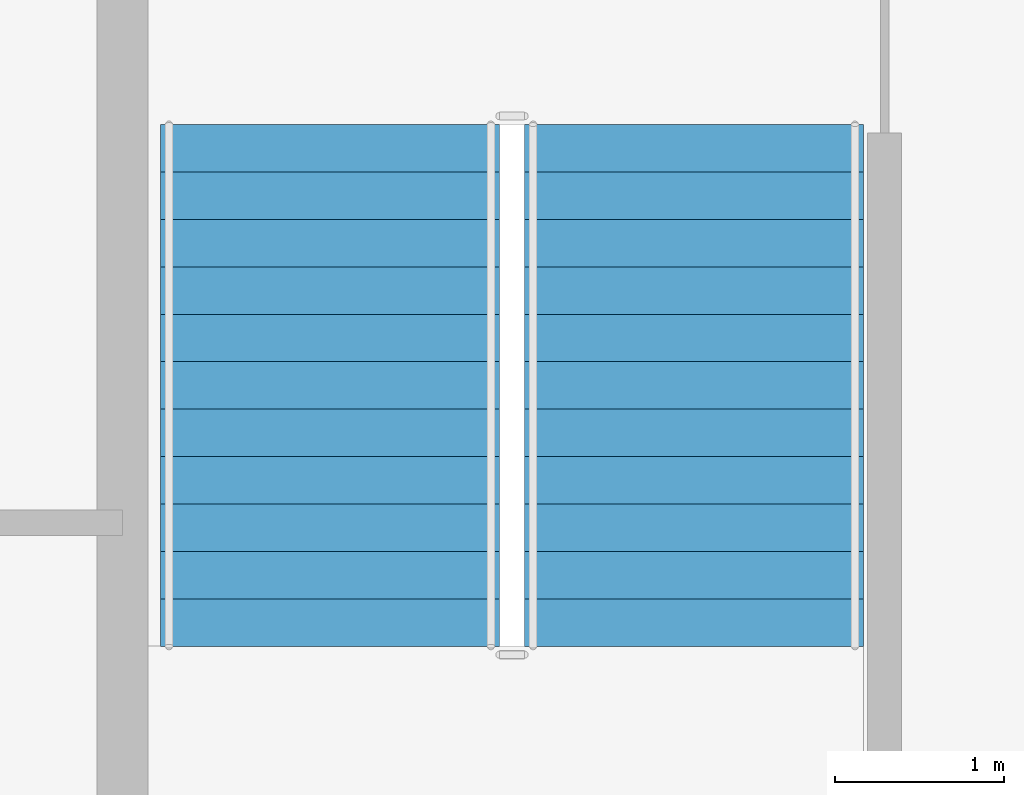
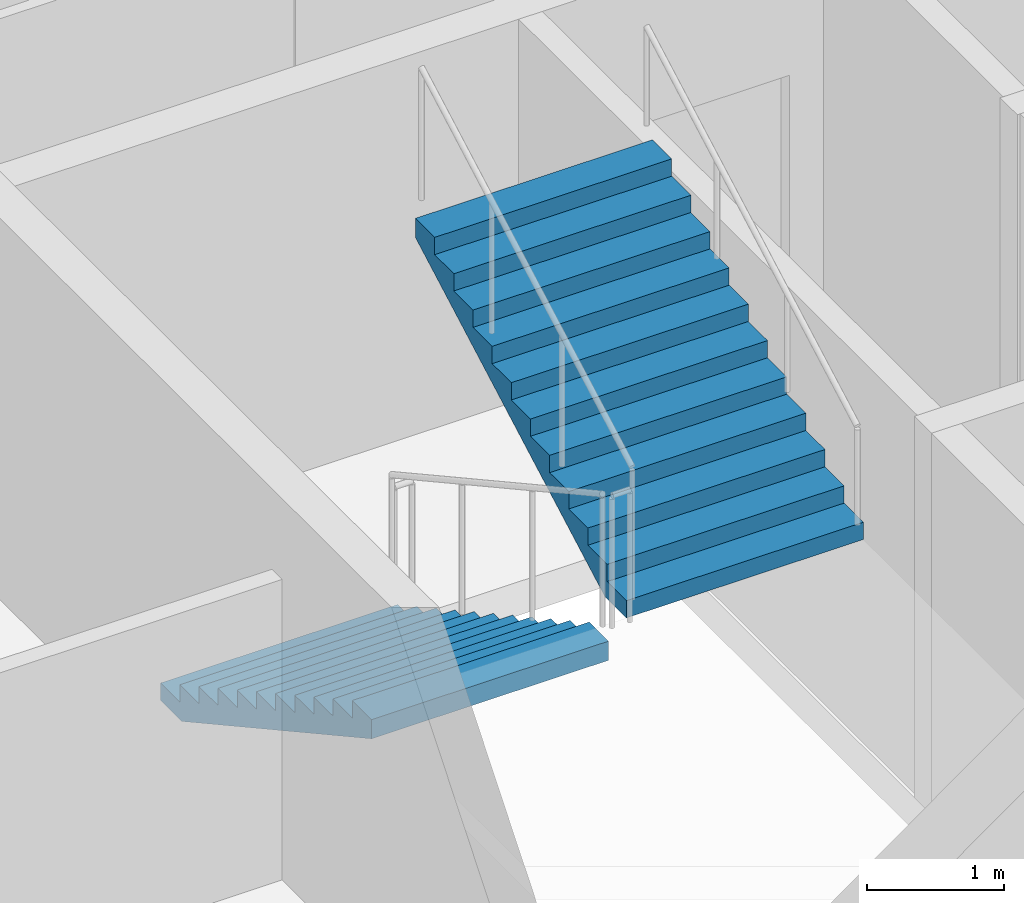
# One storey, part 11 of 15: 2 stair flights, 1 element without a shape of its own.
"""IFC4 building model written with IfcOpenShell, lengths in metres."""

from ifc_helpers import new_model, si_unit, direction, frame, origin, place, context, subcontext, project, spatial, polygons, material, type_object, element, aggregate, save


model = new_model("IFC4")

# Units and contexts
model_context = context("Model", 3, precision=1e-05, world=origin(), true_north=direction((0.0, 1.0)))
body_context = subcontext(model_context, "Body", "Model", "MODEL_VIEW")
ifc_project = project(units=[si_unit("LENGTHUNIT", "METRE"), si_unit("AREAUNIT", "SQUARE_METRE"), si_unit("VOLUMEUNIT", "CUBIC_METRE"), si_unit("PLANEANGLEUNIT", "RADIAN"), si_unit("MASSUNIT", "GRAM", prefix="KILO")], contexts=[model_context])

# Site, building, storey
site_placement = place(None, origin())
site = spatial("IfcSite", under=ifc_project, at=site_placement, CompositionType="ELEMENT")
building_placement = place(site_placement, origin())
building = spatial("IfcBuilding", under=site, at=building_placement, Name="Caravel Reach Hotel and Residences", CompositionType="ELEMENT")
storey_placement = place(building_placement, frame((0.0, 0.0, 172.800048828125)))
storey = spatial("IfcBuildingStorey", under=building, at=storey_placement, Name="L43", CompositionType="ELEMENT", Elevation=172.800048828125)

# Stair, stair flights
ifc_material_1 = material(Name="Concrete C40", Category="concrete")
stair_type = type_object("IfcStairType", Name="Core stair", PredefinedType="HALF_TURN_STAIR", material=ifc_material_1)
stair_placement = place(storey_placement, origin())
stair = element("IfcStair", 1, at=stair_placement, inside=storey, type_object=stair_type, Name="L43 Exit stair A", PredefinedType="HALF_TURN_STAIR")
ifc_material_2 = material(Name="Concrete C40", Category="concrete")
stair_flight_type = type_object("IfcStairFlightType", Name="Core stair flight", PredefinedType="STRAIGHT", material=ifc_material_2)
stair_flight_1_placement = place(storey_placement, frame((19.22509765625, 29.35009765625, 0.0), z_axis=(0.0, 0.0, 1.0), x_axis=(0.0, -1.0, 0.0)))
stair_flight_1 = element("IfcStairFlight", 2, at=stair_flight_1_placement, type_object=stair_flight_type, Name="ST-A flight 1", NumberOfRisers=12, NumberOfTreads=11, PredefinedType="STRAIGHT", RiserHeight=0.154166667, TreadLength=0.28, context=body_context, shape_type="Tessellation", body=[
    polygons([(0.3107950034306102, 1.0, 0.0), (0.3107950034306102, 0.6666666666666667, 0.0), (0.3107950034306102, 0.33333333333333337, 0.0), (0.3107950034306102, 0.0, 0.0), (0.3107950034306102, -0.33333333333333326, 0.0), (0.3107950034306102, -0.6666666666666667, 0.0), (0.3107950034306102, -1.0, 0.0), (3.081, 1.0, 1.524711087717319), (3.081, 0.6666666666666667, 1.524711087717319), (3.081, 0.33333333333333337, 1.524711087717319), (3.081, 0.0, 1.524711087717319), (3.081, -0.33333333333333326, 1.524711087717319), (3.081, -0.6666666666666667, 1.524711087717319), (3.081, -1.0, 1.524711087717319), (3.081, 1.0, 1.695833337), (3.081, 0.6666666666666667, 1.695833337), (3.081, 0.33333333333333337, 1.695833337), (3.081, 0.0, 1.695833337), (3.081, -0.33333333333333326, 1.695833337), (3.081, -0.6666666666666667, 1.695833337), (3.081, -1.0, 1.695833337), (2.8000000000000003, 1.0, 1.695833337), (2.8000000000000003, 0.6666666666666667, 1.695833337), (2.8000000000000003, 0.33333333333333337, 1.695833337), (2.8000000000000003, 0.0, 1.695833337), (2.8000000000000003, -0.33333333333333326, 1.695833337), (2.8000000000000003, -0.6666666666666667, 1.695833337), (2.8000000000000003, -1.0, 1.695833337), (2.8000000000000003, 1.0, 1.5416666700000001), (2.8000000000000003, 0.6666666666666667, 1.5416666700000001), (2.8000000000000003, 0.33333333333333337, 1.5416666700000001), (2.8000000000000003, 0.0, 1.5416666700000001), (2.8000000000000003, -0.33333333333333326, 1.5416666700000001), (2.8000000000000003, -0.6666666666666667, 1.5416666700000001), (2.8000000000000003, -1.0, 1.5416666700000001), (2.5200000000000005, 1.0, 1.5416666700000001), (2.5200000000000005, 0.6666666666666667, 1.5416666700000001), (2.5200000000000005, 0.33333333333333337, 1.5416666700000001), (2.5200000000000005, 0.0, 1.5416666700000001), (2.5200000000000005, -0.33333333333333326, 1.5416666700000001), (2.5200000000000005, -0.6666666666666667, 1.5416666700000001), (2.5200000000000005, -1.0, 1.5416666700000001), (2.5200000000000005, 1.0, 1.387500003), (2.5200000000000005, 0.6666666666666667, 1.387500003), (2.5200000000000005, 0.33333333333333337, 1.387500003), (2.5200000000000005, 0.0, 1.387500003), (2.5200000000000005, -0.33333333333333326, 1.387500003), (2.5200000000000005, -0.6666666666666667, 1.387500003), (2.5200000000000005, -1.0, 1.387500003), (2.24, 1.0, 1.387500003), (2.24, 0.6666666666666667, 1.387500003), (2.24, 0.33333333333333337, 1.387500003), (2.24, 0.0, 1.387500003), (2.24, -0.33333333333333326, 1.387500003), (2.24, -0.6666666666666667, 1.387500003), (2.24, -1.0, 1.387500003), (2.24, 1.0, 1.233333336), (2.24, 0.6666666666666667, 1.233333336), (2.24, 0.33333333333333337, 1.233333336), (2.24, 0.0, 1.233333336), (2.24, -0.33333333333333326, 1.233333336), (2.24, -0.6666666666666667, 1.233333336), (2.24, -1.0, 1.233333336), (1.9600000000000002, 1.0, 1.233333336), (1.9600000000000002, 0.6666666666666667, 1.233333336), (1.9600000000000002, 0.33333333333333337, 1.233333336), (1.9600000000000002, 0.0, 1.233333336), (1.9600000000000002, -0.33333333333333326, 1.233333336), (1.9600000000000002, -0.6666666666666667, 1.233333336), (1.9600000000000002, -1.0, 1.233333336), (1.9600000000000002, 1.0, 1.0791666690000001), (1.9600000000000002, 0.6666666666666667, 1.0791666690000001), (1.9600000000000002, 0.33333333333333337, 1.0791666690000001), (1.9600000000000002, 0.0, 1.0791666690000001), (1.9600000000000002, -0.33333333333333326, 1.0791666690000001), (1.9600000000000002, -0.6666666666666667, 1.0791666690000001), (1.9600000000000002, -1.0, 1.0791666690000001), (1.6800000000000002, 1.0, 1.0791666690000001), (1.6800000000000002, 0.6666666666666667, 1.0791666690000001), (1.6800000000000002, 0.33333333333333337, 1.0791666690000001), (1.6800000000000002, 0.0, 1.0791666690000001), (1.6800000000000002, -0.33333333333333326, 1.0791666690000001), (1.6800000000000002, -0.6666666666666667, 1.0791666690000001), (1.6800000000000002, -1.0, 1.0791666690000001), (1.6800000000000002, 1.0, 0.925000002), (1.6800000000000002, 0.6666666666666667, 0.925000002), (1.6800000000000002, 0.33333333333333337, 0.925000002), (1.6800000000000002, 0.0, 0.925000002), (1.6800000000000002, -0.33333333333333326, 0.925000002), (1.6800000000000002, -0.6666666666666667, 0.925000002), (1.6800000000000002, -1.0, 0.925000002), (1.4000000000000001, 1.0, 0.925000002), (1.4000000000000001, 0.6666666666666667, 0.925000002), (1.4000000000000001, 0.33333333333333337, 0.925000002), (1.4000000000000001, 0.0, 0.925000002), (1.4000000000000001, -0.33333333333333326, 0.925000002), (1.4000000000000001, -0.6666666666666667, 0.925000002), (1.4000000000000001, -1.0, 0.925000002), (1.4000000000000001, 1.0, 0.7708333350000001), (1.4000000000000001, 0.6666666666666667, 0.7708333350000001), (1.4000000000000001, 0.33333333333333337, 0.7708333350000001), (1.4000000000000001, 0.0, 0.7708333350000001), (1.4000000000000001, -0.33333333333333326, 0.7708333350000001), (1.4000000000000001, -0.6666666666666667, 0.7708333350000001), (1.4000000000000001, -1.0, 0.7708333350000001), (1.12, 1.0, 0.7708333350000001), (1.12, 0.6666666666666667, 0.7708333350000001), (1.12, 0.33333333333333337, 0.7708333350000001), (1.12, 0.0, 0.7708333350000001), (1.12, -0.33333333333333326, 0.7708333350000001), (1.12, -0.6666666666666667, 0.7708333350000001), (1.12, -1.0, 0.7708333350000001), (1.12, 1.0, 0.616666668), (1.12, 0.6666666666666667, 0.616666668), (1.12, 0.33333333333333337, 0.616666668), (1.12, 0.0, 0.616666668), (1.12, -0.33333333333333326, 0.616666668), (1.12, -0.6666666666666667, 0.616666668), (1.12, -1.0, 0.616666668), (0.8400000000000001, 1.0, 0.616666668), (0.8400000000000001, 0.6666666666666667, 0.616666668), (0.8400000000000001, 0.33333333333333337, 0.616666668), (0.8400000000000001, 0.0, 0.616666668), (0.8400000000000001, -0.33333333333333326, 0.616666668), (0.8400000000000001, -0.6666666666666667, 0.616666668), (0.8400000000000001, -1.0, 0.616666668), (0.8400000000000001, 1.0, 0.462500001), (0.8400000000000001, 0.6666666666666667, 0.462500001), (0.8400000000000001, 0.33333333333333337, 0.462500001), (0.8400000000000001, 0.0, 0.462500001), (0.8400000000000001, -0.33333333333333326, 0.462500001), (0.8400000000000001, -0.6666666666666667, 0.462500001), (0.8400000000000001, -1.0, 0.462500001), (0.56, 1.0, 0.462500001), (0.56, 0.6666666666666667, 0.462500001), (0.56, 0.33333333333333337, 0.462500001), (0.56, 0.0, 0.462500001), (0.56, -0.33333333333333326, 0.462500001), (0.56, -0.6666666666666667, 0.462500001), (0.56, -1.0, 0.462500001), (0.56, 1.0, 0.308333334), (0.56, 0.6666666666666667, 0.308333334), (0.56, 0.33333333333333337, 0.308333334), (0.56, 0.0, 0.308333334), (0.56, -0.33333333333333326, 0.308333334), (0.56, -0.6666666666666667, 0.308333334), (0.56, -1.0, 0.308333334), (0.28, 1.0, 0.308333334), (0.28, 0.6666666666666667, 0.308333334), (0.28, 0.33333333333333337, 0.308333334), (0.28, 0.0, 0.308333334), (0.28, -0.33333333333333326, 0.308333334), (0.28, -0.6666666666666667, 0.308333334), (0.28, -1.0, 0.308333334), (0.28, 1.0, 0.154166667), (0.28, 0.6666666666666667, 0.154166667), (0.28, 0.33333333333333337, 0.154166667), (0.28, 0.0, 0.154166667), (0.28, -0.33333333333333326, 0.154166667), (0.28, -0.6666666666666667, 0.154166667), (0.28, -1.0, 0.154166667), (-0.001, 1.0, 0.154166667), (-0.001, 0.6666666666666667, 0.154166667), (-0.001, 0.33333333333333337, 0.154166667), (-0.001, 0.0, 0.154166667), (-0.001, -0.33333333333333326, 0.154166667), (-0.001, -0.6666666666666667, 0.154166667), (-0.001, -1.0, 0.154166667), (-0.001, 1.0, 0.0), (-0.001, 0.6666666666666667, 0.0), (-0.001, 0.33333333333333337, 0.0), (-0.001, 0.0, 0.0), (-0.001, -0.33333333333333326, 0.0), (-0.001, -0.6666666666666667, 0.0), (-0.001, -1.0, 0.0)], [[[169, 162, 155, 148, 141, 134, 127, 120, 113, 106, 99, 92, 85, 78, 71, 64, 57, 50, 43, 36, 29, 22, 15, 8, 1]], [[7, 14, 21, 28, 35, 42, 49, 56, 63, 70, 77, 84, 91, 98, 105, 112, 119, 126, 133, 140, 147, 154, 161, 168, 175]], [[1, 8, 9, 2]], [[2, 9, 10, 3]], [[3, 10, 11, 4]], [[4, 11, 12, 5]], [[5, 12, 13, 6]], [[6, 13, 14, 7]], [[8, 15, 16, 9]], [[9, 16, 17, 10]], [[10, 17, 18, 11]], [[11, 18, 19, 12]], [[12, 19, 20, 13]], [[13, 20, 21, 14]], [[15, 22, 23, 16]], [[16, 23, 24, 17]], [[17, 24, 25, 18]], [[18, 25, 26, 19]], [[19, 26, 27, 20]], [[20, 27, 28, 21]], [[22, 29, 30, 23]], [[23, 30, 31, 24]], [[24, 31, 32, 25]], [[25, 32, 33, 26]], [[26, 33, 34, 27]], [[27, 34, 35, 28]], [[29, 36, 37, 30]], [[30, 37, 38, 31]], [[31, 38, 39, 32]], [[32, 39, 40, 33]], [[33, 40, 41, 34]], [[34, 41, 42, 35]], [[36, 43, 44, 37]], [[37, 44, 45, 38]], [[38, 45, 46, 39]], [[39, 46, 47, 40]], [[40, 47, 48, 41]], [[41, 48, 49, 42]], [[43, 50, 51, 44]], [[44, 51, 52, 45]], [[45, 52, 53, 46]], [[46, 53, 54, 47]], [[47, 54, 55, 48]], [[48, 55, 56, 49]], [[50, 57, 58, 51]], [[51, 58, 59, 52]], [[52, 59, 60, 53]], [[53, 60, 61, 54]], [[54, 61, 62, 55]], [[55, 62, 63, 56]], [[57, 64, 65, 58]], [[58, 65, 66, 59]], [[59, 66, 67, 60]], [[60, 67, 68, 61]], [[61, 68, 69, 62]], [[62, 69, 70, 63]], [[64, 71, 72, 65]], [[65, 72, 73, 66]], [[66, 73, 74, 67]], [[67, 74, 75, 68]], [[68, 75, 76, 69]], [[69, 76, 77, 70]], [[71, 78, 79, 72]], [[72, 79, 80, 73]], [[73, 80, 81, 74]], [[74, 81, 82, 75]], [[75, 82, 83, 76]], [[76, 83, 84, 77]], [[78, 85, 86, 79]], [[79, 86, 87, 80]], [[80, 87, 88, 81]], [[81, 88, 89, 82]], [[82, 89, 90, 83]], [[83, 90, 91, 84]], [[85, 92, 93, 86]], [[86, 93, 94, 87]], [[87, 94, 95, 88]], [[88, 95, 96, 89]], [[89, 96, 97, 90]], [[90, 97, 98, 91]], [[92, 99, 100, 93]], [[93, 100, 101, 94]], [[94, 101, 102, 95]], [[95, 102, 103, 96]], [[96, 103, 104, 97]], [[97, 104, 105, 98]], [[99, 106, 107, 100]], [[100, 107, 108, 101]], [[101, 108, 109, 102]], [[102, 109, 110, 103]], [[103, 110, 111, 104]], [[104, 111, 112, 105]], [[106, 113, 114, 107]], [[107, 114, 115, 108]], [[108, 115, 116, 109]], [[109, 116, 117, 110]], [[110, 117, 118, 111]], [[111, 118, 119, 112]], [[113, 120, 121, 114]], [[114, 121, 122, 115]], [[115, 122, 123, 116]], [[116, 123, 124, 117]], [[117, 124, 125, 118]], [[118, 125, 126, 119]], [[120, 127, 128, 121]], [[121, 128, 129, 122]], [[122, 129, 130, 123]], [[123, 130, 131, 124]], [[124, 131, 132, 125]], [[125, 132, 133, 126]], [[127, 134, 135, 128]], [[128, 135, 136, 129]], [[129, 136, 137, 130]], [[130, 137, 138, 131]], [[131, 138, 139, 132]], [[132, 139, 140, 133]], [[134, 141, 142, 135]], [[135, 142, 143, 136]], [[136, 143, 144, 137]], [[137, 144, 145, 138]], [[138, 145, 146, 139]], [[139, 146, 147, 140]], [[141, 148, 149, 142]], [[142, 149, 150, 143]], [[143, 150, 151, 144]], [[144, 151, 152, 145]], [[145, 152, 153, 146]], [[146, 153, 154, 147]], [[148, 155, 156, 149]], [[149, 156, 157, 150]], [[150, 157, 158, 151]], [[151, 158, 159, 152]], [[152, 159, 160, 153]], [[153, 160, 161, 154]], [[155, 162, 163, 156]], [[156, 163, 164, 157]], [[157, 164, 165, 158]], [[158, 165, 166, 159]], [[159, 166, 167, 160]], [[160, 167, 168, 161]], [[162, 169, 170, 163]], [[163, 170, 171, 164]], [[164, 171, 172, 165]], [[165, 172, 173, 166]], [[166, 173, 174, 167]], [[167, 174, 175, 168]], [[169, 1, 2, 170]], [[170, 2, 3, 171]], [[171, 3, 4, 172]], [[172, 4, 5, 173]], [[173, 5, 6, 174]], [[174, 6, 7, 175]]], closed=True),
])
stair_flight_2_placement = place(storey_placement, frame((21.375, 26.27001953125, 1.849853515625), z_axis=(0.0, 0.0, 1.0), x_axis=(0.0, 1.0, 0.0)))
stair_flight_2 = element("IfcStairFlight", 3, at=stair_flight_2_placement, type_object=stair_flight_type, Name="ST-A flight 2", NumberOfRisers=12, NumberOfTreads=11, PredefinedType="STRAIGHT", RiserHeight=0.154166667, TreadLength=0.28, context=body_context, shape_type="Tessellation", body=[
    polygons([(0.3107950034306102, 1.0, 0.0), (0.3107950034306102, 0.6666666666666667, 0.0), (0.3107950034306102, 0.33333333333333337, 0.0), (0.3107950034306102, 0.0, 0.0), (0.3107950034306102, -0.33333333333333326, 0.0), (0.3107950034306102, -0.6666666666666667, 0.0), (0.3107950034306102, -1.0, 0.0), (3.081, 1.0, 1.524711087717319), (3.081, 0.6666666666666667, 1.524711087717319), (3.081, 0.33333333333333337, 1.524711087717319), (3.081, 0.0, 1.524711087717319), (3.081, -0.33333333333333326, 1.524711087717319), (3.081, -0.6666666666666667, 1.524711087717319), (3.081, -1.0, 1.524711087717319), (3.081, 1.0, 1.695833337), (3.081, 0.6666666666666667, 1.695833337), (3.081, 0.33333333333333337, 1.695833337), (3.081, 0.0, 1.695833337), (3.081, -0.33333333333333326, 1.695833337), (3.081, -0.6666666666666667, 1.695833337), (3.081, -1.0, 1.695833337), (2.8000000000000003, 1.0, 1.695833337), (2.8000000000000003, 0.6666666666666667, 1.695833337), (2.8000000000000003, 0.33333333333333337, 1.695833337), (2.8000000000000003, 0.0, 1.695833337), (2.8000000000000003, -0.33333333333333326, 1.695833337), (2.8000000000000003, -0.6666666666666667, 1.695833337), (2.8000000000000003, -1.0, 1.695833337), (2.8000000000000003, 1.0, 1.5416666700000001), (2.8000000000000003, 0.6666666666666667, 1.5416666700000001), (2.8000000000000003, 0.33333333333333337, 1.5416666700000001), (2.8000000000000003, 0.0, 1.5416666700000001), (2.8000000000000003, -0.33333333333333326, 1.5416666700000001), (2.8000000000000003, -0.6666666666666667, 1.5416666700000001), (2.8000000000000003, -1.0, 1.5416666700000001), (2.5200000000000005, 1.0, 1.5416666700000001), (2.5200000000000005, 0.6666666666666667, 1.5416666700000001), (2.5200000000000005, 0.33333333333333337, 1.5416666700000001), (2.5200000000000005, 0.0, 1.5416666700000001), (2.5200000000000005, -0.33333333333333326, 1.5416666700000001), (2.5200000000000005, -0.6666666666666667, 1.5416666700000001), (2.5200000000000005, -1.0, 1.5416666700000001), (2.5200000000000005, 1.0, 1.387500003), (2.5200000000000005, 0.6666666666666667, 1.387500003), (2.5200000000000005, 0.33333333333333337, 1.387500003), (2.5200000000000005, 0.0, 1.387500003), (2.5200000000000005, -0.33333333333333326, 1.387500003), (2.5200000000000005, -0.6666666666666667, 1.387500003), (2.5200000000000005, -1.0, 1.387500003), (2.24, 1.0, 1.387500003), (2.24, 0.6666666666666667, 1.387500003), (2.24, 0.33333333333333337, 1.387500003), (2.24, 0.0, 1.387500003), (2.24, -0.33333333333333326, 1.387500003), (2.24, -0.6666666666666667, 1.387500003), (2.24, -1.0, 1.387500003), (2.24, 1.0, 1.233333336), (2.24, 0.6666666666666667, 1.233333336), (2.24, 0.33333333333333337, 1.233333336), (2.24, 0.0, 1.233333336), (2.24, -0.33333333333333326, 1.233333336), (2.24, -0.6666666666666667, 1.233333336), (2.24, -1.0, 1.233333336), (1.9600000000000002, 1.0, 1.233333336), (1.9600000000000002, 0.6666666666666667, 1.233333336), (1.9600000000000002, 0.33333333333333337, 1.233333336), (1.9600000000000002, 0.0, 1.233333336), (1.9600000000000002, -0.33333333333333326, 1.233333336), (1.9600000000000002, -0.6666666666666667, 1.233333336), (1.9600000000000002, -1.0, 1.233333336), (1.9600000000000002, 1.0, 1.0791666690000001), (1.9600000000000002, 0.6666666666666667, 1.0791666690000001), (1.9600000000000002, 0.33333333333333337, 1.0791666690000001), (1.9600000000000002, 0.0, 1.0791666690000001), (1.9600000000000002, -0.33333333333333326, 1.0791666690000001), (1.9600000000000002, -0.6666666666666667, 1.0791666690000001), (1.9600000000000002, -1.0, 1.0791666690000001), (1.6800000000000002, 1.0, 1.0791666690000001), (1.6800000000000002, 0.6666666666666667, 1.0791666690000001), (1.6800000000000002, 0.33333333333333337, 1.0791666690000001), (1.6800000000000002, 0.0, 1.0791666690000001), (1.6800000000000002, -0.33333333333333326, 1.0791666690000001), (1.6800000000000002, -0.6666666666666667, 1.0791666690000001), (1.6800000000000002, -1.0, 1.0791666690000001), (1.6800000000000002, 1.0, 0.925000002), (1.6800000000000002, 0.6666666666666667, 0.925000002), (1.6800000000000002, 0.33333333333333337, 0.925000002), (1.6800000000000002, 0.0, 0.925000002), (1.6800000000000002, -0.33333333333333326, 0.925000002), (1.6800000000000002, -0.6666666666666667, 0.925000002), (1.6800000000000002, -1.0, 0.925000002), (1.4000000000000001, 1.0, 0.925000002), (1.4000000000000001, 0.6666666666666667, 0.925000002), (1.4000000000000001, 0.33333333333333337, 0.925000002), (1.4000000000000001, 0.0, 0.925000002), (1.4000000000000001, -0.33333333333333326, 0.925000002), (1.4000000000000001, -0.6666666666666667, 0.925000002), (1.4000000000000001, -1.0, 0.925000002), (1.4000000000000001, 1.0, 0.7708333350000001), (1.4000000000000001, 0.6666666666666667, 0.7708333350000001), (1.4000000000000001, 0.33333333333333337, 0.7708333350000001), (1.4000000000000001, 0.0, 0.7708333350000001), (1.4000000000000001, -0.33333333333333326, 0.7708333350000001), (1.4000000000000001, -0.6666666666666667, 0.7708333350000001), (1.4000000000000001, -1.0, 0.7708333350000001), (1.12, 1.0, 0.7708333350000001), (1.12, 0.6666666666666667, 0.7708333350000001), (1.12, 0.33333333333333337, 0.7708333350000001), (1.12, 0.0, 0.7708333350000001), (1.12, -0.33333333333333326, 0.7708333350000001), (1.12, -0.6666666666666667, 0.7708333350000001), (1.12, -1.0, 0.7708333350000001), (1.12, 1.0, 0.616666668), (1.12, 0.6666666666666667, 0.616666668), (1.12, 0.33333333333333337, 0.616666668), (1.12, 0.0, 0.616666668), (1.12, -0.33333333333333326, 0.616666668), (1.12, -0.6666666666666667, 0.616666668), (1.12, -1.0, 0.616666668), (0.8400000000000001, 1.0, 0.616666668), (0.8400000000000001, 0.6666666666666667, 0.616666668), (0.8400000000000001, 0.33333333333333337, 0.616666668), (0.8400000000000001, 0.0, 0.616666668), (0.8400000000000001, -0.33333333333333326, 0.616666668), (0.8400000000000001, -0.6666666666666667, 0.616666668), (0.8400000000000001, -1.0, 0.616666668), (0.8400000000000001, 1.0, 0.462500001), (0.8400000000000001, 0.6666666666666667, 0.462500001), (0.8400000000000001, 0.33333333333333337, 0.462500001), (0.8400000000000001, 0.0, 0.462500001), (0.8400000000000001, -0.33333333333333326, 0.462500001), (0.8400000000000001, -0.6666666666666667, 0.462500001), (0.8400000000000001, -1.0, 0.462500001), (0.56, 1.0, 0.462500001), (0.56, 0.6666666666666667, 0.462500001), (0.56, 0.33333333333333337, 0.462500001), (0.56, 0.0, 0.462500001), (0.56, -0.33333333333333326, 0.462500001), (0.56, -0.6666666666666667, 0.462500001), (0.56, -1.0, 0.462500001), (0.56, 1.0, 0.308333334), (0.56, 0.6666666666666667, 0.308333334), (0.56, 0.33333333333333337, 0.308333334), (0.56, 0.0, 0.308333334), (0.56, -0.33333333333333326, 0.308333334), (0.56, -0.6666666666666667, 0.308333334), (0.56, -1.0, 0.308333334), (0.28, 1.0, 0.308333334), (0.28, 0.6666666666666667, 0.308333334), (0.28, 0.33333333333333337, 0.308333334), (0.28, 0.0, 0.308333334), (0.28, -0.33333333333333326, 0.308333334), (0.28, -0.6666666666666667, 0.308333334), (0.28, -1.0, 0.308333334), (0.28, 1.0, 0.154166667), (0.28, 0.6666666666666667, 0.154166667), (0.28, 0.33333333333333337, 0.154166667), (0.28, 0.0, 0.154166667), (0.28, -0.33333333333333326, 0.154166667), (0.28, -0.6666666666666667, 0.154166667), (0.28, -1.0, 0.154166667), (-0.001, 1.0, 0.154166667), (-0.001, 0.6666666666666667, 0.154166667), (-0.001, 0.33333333333333337, 0.154166667), (-0.001, 0.0, 0.154166667), (-0.001, -0.33333333333333326, 0.154166667), (-0.001, -0.6666666666666667, 0.154166667), (-0.001, -1.0, 0.154166667), (-0.001, 1.0, 0.0), (-0.001, 0.6666666666666667, 0.0), (-0.001, 0.33333333333333337, 0.0), (-0.001, 0.0, 0.0), (-0.001, -0.33333333333333326, 0.0), (-0.001, -0.6666666666666667, 0.0), (-0.001, -1.0, 0.0)], [[[169, 162, 155, 148, 141, 134, 127, 120, 113, 106, 99, 92, 85, 78, 71, 64, 57, 50, 43, 36, 29, 22, 15, 8, 1]], [[7, 14, 21, 28, 35, 42, 49, 56, 63, 70, 77, 84, 91, 98, 105, 112, 119, 126, 133, 140, 147, 154, 161, 168, 175]], [[1, 8, 9, 2]], [[2, 9, 10, 3]], [[3, 10, 11, 4]], [[4, 11, 12, 5]], [[5, 12, 13, 6]], [[6, 13, 14, 7]], [[8, 15, 16, 9]], [[9, 16, 17, 10]], [[10, 17, 18, 11]], [[11, 18, 19, 12]], [[12, 19, 20, 13]], [[13, 20, 21, 14]], [[15, 22, 23, 16]], [[16, 23, 24, 17]], [[17, 24, 25, 18]], [[18, 25, 26, 19]], [[19, 26, 27, 20]], [[20, 27, 28, 21]], [[22, 29, 30, 23]], [[23, 30, 31, 24]], [[24, 31, 32, 25]], [[25, 32, 33, 26]], [[26, 33, 34, 27]], [[27, 34, 35, 28]], [[29, 36, 37, 30]], [[30, 37, 38, 31]], [[31, 38, 39, 32]], [[32, 39, 40, 33]], [[33, 40, 41, 34]], [[34, 41, 42, 35]], [[36, 43, 44, 37]], [[37, 44, 45, 38]], [[38, 45, 46, 39]], [[39, 46, 47, 40]], [[40, 47, 48, 41]], [[41, 48, 49, 42]], [[43, 50, 51, 44]], [[44, 51, 52, 45]], [[45, 52, 53, 46]], [[46, 53, 54, 47]], [[47, 54, 55, 48]], [[48, 55, 56, 49]], [[50, 57, 58, 51]], [[51, 58, 59, 52]], [[52, 59, 60, 53]], [[53, 60, 61, 54]], [[54, 61, 62, 55]], [[55, 62, 63, 56]], [[57, 64, 65, 58]], [[58, 65, 66, 59]], [[59, 66, 67, 60]], [[60, 67, 68, 61]], [[61, 68, 69, 62]], [[62, 69, 70, 63]], [[64, 71, 72, 65]], [[65, 72, 73, 66]], [[66, 73, 74, 67]], [[67, 74, 75, 68]], [[68, 75, 76, 69]], [[69, 76, 77, 70]], [[71, 78, 79, 72]], [[72, 79, 80, 73]], [[73, 80, 81, 74]], [[74, 81, 82, 75]], [[75, 82, 83, 76]], [[76, 83, 84, 77]], [[78, 85, 86, 79]], [[79, 86, 87, 80]], [[80, 87, 88, 81]], [[81, 88, 89, 82]], [[82, 89, 90, 83]], [[83, 90, 91, 84]], [[85, 92, 93, 86]], [[86, 93, 94, 87]], [[87, 94, 95, 88]], [[88, 95, 96, 89]], [[89, 96, 97, 90]], [[90, 97, 98, 91]], [[92, 99, 100, 93]], [[93, 100, 101, 94]], [[94, 101, 102, 95]], [[95, 102, 103, 96]], [[96, 103, 104, 97]], [[97, 104, 105, 98]], [[99, 106, 107, 100]], [[100, 107, 108, 101]], [[101, 108, 109, 102]], [[102, 109, 110, 103]], [[103, 110, 111, 104]], [[104, 111, 112, 105]], [[106, 113, 114, 107]], [[107, 114, 115, 108]], [[108, 115, 116, 109]], [[109, 116, 117, 110]], [[110, 117, 118, 111]], [[111, 118, 119, 112]], [[113, 120, 121, 114]], [[114, 121, 122, 115]], [[115, 122, 123, 116]], [[116, 123, 124, 117]], [[117, 124, 125, 118]], [[118, 125, 126, 119]], [[120, 127, 128, 121]], [[121, 128, 129, 122]], [[122, 129, 130, 123]], [[123, 130, 131, 124]], [[124, 131, 132, 125]], [[125, 132, 133, 126]], [[127, 134, 135, 128]], [[128, 135, 136, 129]], [[129, 136, 137, 130]], [[130, 137, 138, 131]], [[131, 138, 139, 132]], [[132, 139, 140, 133]], [[134, 141, 142, 135]], [[135, 142, 143, 136]], [[136, 143, 144, 137]], [[137, 144, 145, 138]], [[138, 145, 146, 139]], [[139, 146, 147, 140]], [[141, 148, 149, 142]], [[142, 149, 150, 143]], [[143, 150, 151, 144]], [[144, 151, 152, 145]], [[145, 152, 153, 146]], [[146, 153, 154, 147]], [[148, 155, 156, 149]], [[149, 156, 157, 150]], [[150, 157, 158, 151]], [[151, 158, 159, 152]], [[152, 159, 160, 153]], [[153, 160, 161, 154]], [[155, 162, 163, 156]], [[156, 163, 164, 157]], [[157, 164, 165, 158]], [[158, 165, 166, 159]], [[159, 166, 167, 160]], [[160, 167, 168, 161]], [[162, 169, 170, 163]], [[163, 170, 171, 164]], [[164, 171, 172, 165]], [[165, 172, 173, 166]], [[166, 173, 174, 167]], [[167, 174, 175, 168]], [[169, 1, 2, 170]], [[170, 2, 3, 171]], [[171, 3, 4, 172]], [[172, 4, 5, 173]], [[173, 5, 6, 174]], [[174, 6, 7, 175]]], closed=True),
])
aggregate(stair, [stair_flight_1, stair_flight_2])

save(model, "model.ifc")
